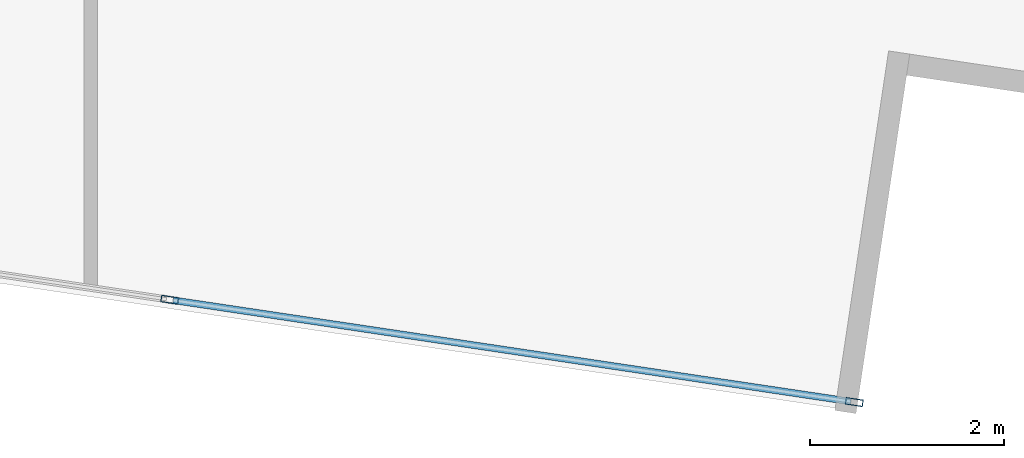
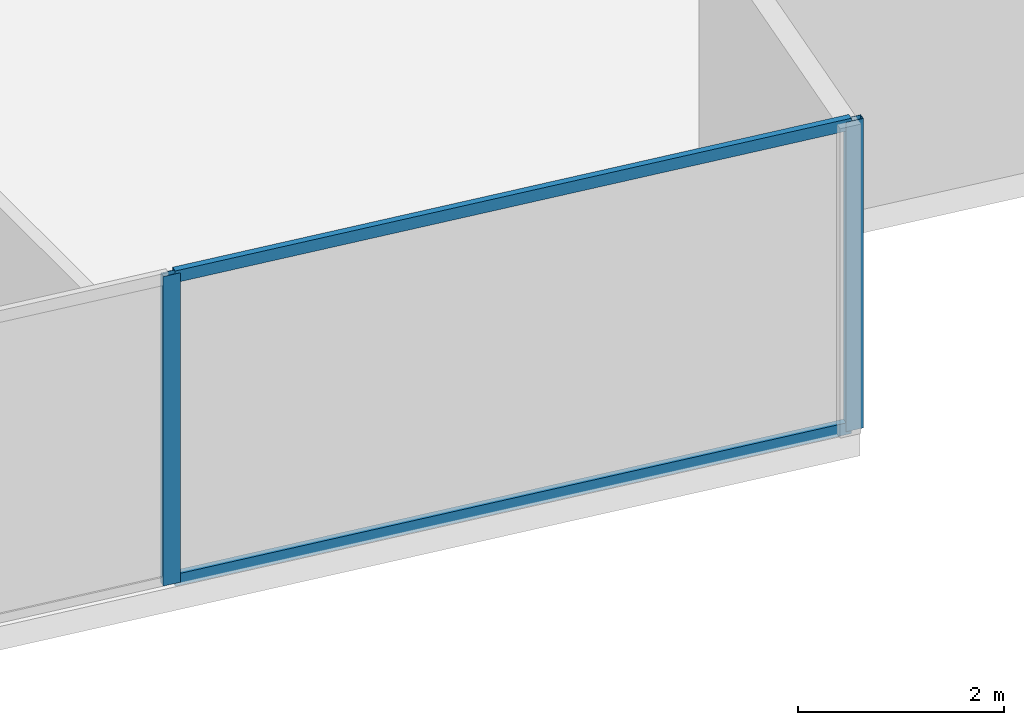
# One storey, part 10 of 29: 4 members, 1 element without a shape of its own.
"""IFC4 building model written with IfcOpenShell, lengths in metres."""

from ifc_helpers import new_model, si_unit, direction, frame, origin, origin_2d, place, context, subcontext, project, spatial, hollow_rectangle, extrude, source, transform, mapped, material, material_profile, profile_set, type_object, type_shapes, element, aggregate, save


model = new_model("IFC4")

# Units and contexts
model_context = context("Model", 3, precision=1e-05, world=origin(), true_north=direction((0.0, 1.0)))
body_context = subcontext(model_context, "Body", "Model", "MODEL_VIEW")
ifc_project = project(units=[si_unit("LENGTHUNIT", "METRE"), si_unit("AREAUNIT", "SQUARE_METRE"), si_unit("VOLUMEUNIT", "CUBIC_METRE"), si_unit("PLANEANGLEUNIT", "RADIAN"), si_unit("MASSUNIT", "GRAM", prefix="KILO")], contexts=[model_context])

# Site, building, storey
site_placement = place(None, origin())
site = spatial("IfcSite", under=ifc_project, at=site_placement, CompositionType="ELEMENT")
building_placement = place(site_placement, origin())
building = spatial("IfcBuilding", under=site, at=building_placement, Name="Krantzveldt Concourse Tower", CompositionType="ELEMENT")
storey_placement = place(building_placement, frame((0.0, 0.0, 72.39990234375)))
storey = spatial("IfcBuildingStorey", under=building, at=storey_placement, Name="L17", CompositionType="ELEMENT", Elevation=72.39990234375)

# Curtain wall, members
ifc_material = material(Name="Anodised aluminium 6063-T6", Category="aluminium")
curtain_wall_type = type_object("IfcCurtainWallType", Name="CW2", PredefinedType="USERDEFINED", material=ifc_material)
curtain_wall_placement = place(storey_placement, origin())
curtain_wall = element("IfcCurtainWall", 1, at=curtain_wall_placement, inside=storey, type_object=curtain_wall_type, Name="CW-L17-F04", ObjectType="UNITISED CURTAIN WALL", PredefinedType="USERDEFINED")
ifc_material_profile_1 = material_profile(ifc_material, hollow_rectangle(XDim=0.070068359375, YDim=0.139892578125, WallThickness=0.0048828125, at=origin_2d()), Name="Anodised aluminium 6063-T6", Category="aluminium")
ifc_profile_set_1 = profile_set([ifc_material_profile_1], Name="Anodised aluminium 6063-T6 - ALU-TRAN 140x70x5")
member_type_1 = type_object("IfcMemberType", Name="CW-TRN-150", PredefinedType="USERDEFINED", material=ifc_profile_set_1)
shared_shape_1 = source(origin(), body_context, "Body", "SweptSolid", [
    extrude(hollow_rectangle(XDim=0.070068359375, YDim=0.139892578125, WallThickness=0.0048828125, at=origin_2d()), origin(), (0.0, 0.0, 1.0), 7.061767578125),
])
type_shapes(member_type_1, [shared_shape_1])
member_1_placement = place(storey_placement, frame((46.528564453125, -0.06005859375, 0.03515625), z_axis=(0.989012551714, -0.147831568187, 0.0), x_axis=(0.147831568187, 0.989012551714, 0.0)))
member_1 = element("IfcMember", 2, at=member_1_placement, type_object=member_type_1, Name="CW-Z12 transom 6.1", ObjectType="TRANSOM", PredefinedType="USERDEFINED", context=body_context, shape_type="MappedRepresentation", body=[
    mapped(shared_shape_1, transform((0.0, 0.0, 0.0), x_axis=(1.0, 0.0, 0.0), y_axis=(0.0, 1.0, 0.0), z_axis=(0.0, 0.0, 1.0), scale=1.0)),
])
member_2_placement = place(storey_placement, frame((46.528564453125, -0.06005859375, 3.635009765625), z_axis=(0.989012551714, -0.147831568187, 0.0), x_axis=(0.147831568187, 0.989012551714, 0.0)))
member_2 = element("IfcMember", 3, at=member_2_placement, type_object=member_type_1, Name="CW-Z12 transom 6.2", ObjectType="TRANSOM", PredefinedType="USERDEFINED", context=body_context, shape_type="MappedRepresentation", body=[
    mapped(shared_shape_1, transform((0.0, 0.0, 0.0), x_axis=(1.0, 0.0, 0.0), y_axis=(0.0, 1.0, 0.0), z_axis=(0.0, 0.0, 1.0), scale=1.0)),
])
ifc_material_profile_2 = material_profile(ifc_material, hollow_rectangle(XDim=0.070068359375, YDim=0.179931640625, WallThickness=0.0048828125, at=origin_2d()), Name="Anodised aluminium 6063-T6", Category="aluminium")
ifc_profile_set_2 = profile_set([ifc_material_profile_2], Name="Anodised aluminium 6063-T6 - ALU-MULL 180x70x5")
member_type_2 = type_object("IfcMemberType", Name="CW-MUL-180", PredefinedType="MULLION", material=ifc_profile_set_2)
shared_shape_2 = source(origin(), body_context, "Body", "SweptSolid", [
    extrude(hollow_rectangle(XDim=0.070068359375, YDim=0.179931640625, WallThickness=0.0048828125, at=origin_2d()), origin(), (0.0, 0.0, 1.0), 3.670166015625),
])
type_shapes(member_type_2, [shared_shape_2])
member_3_placement = place(storey_placement, frame((46.493896484375, -0.054931640625, 0.0), z_axis=(0.0, 0.0, 1.0), x_axis=(0.147809505412, 0.989015849271, 0.0)))
member_3 = element("IfcMember", 4, at=member_3_placement, type_object=member_type_2, Name="CW-Z12 mullion 6", PredefinedType="MULLION", context=body_context, shape_type="MappedRepresentation", body=[
    mapped(shared_shape_2, transform((0.0, 0.0, 0.0), x_axis=(1.0, 0.0, 0.0), y_axis=(0.0, 1.0, 0.0), z_axis=(0.0, 0.0, 1.0), scale=1.0)),
])
member_4_placement = place(storey_placement, frame((53.54736328125, -1.109130859375, 0.0), z_axis=(0.0, 0.0, 1.0), x_axis=(0.147809505412, 0.989015849271, 0.0)))
member_4 = element("IfcMember", 5, at=member_4_placement, type_object=member_type_2, Name="CW-Z12 mullion 7", PredefinedType="MULLION", context=body_context, shape_type="MappedRepresentation", body=[
    mapped(shared_shape_2, transform((0.0, 0.0, 0.0), x_axis=(1.0, 0.0, 0.0), y_axis=(0.0, 1.0, 0.0), z_axis=(0.0, 0.0, 1.0), scale=1.0)),
])
aggregate(curtain_wall, [member_3, member_4, member_1, member_2])

save(model, "model.ifc")
